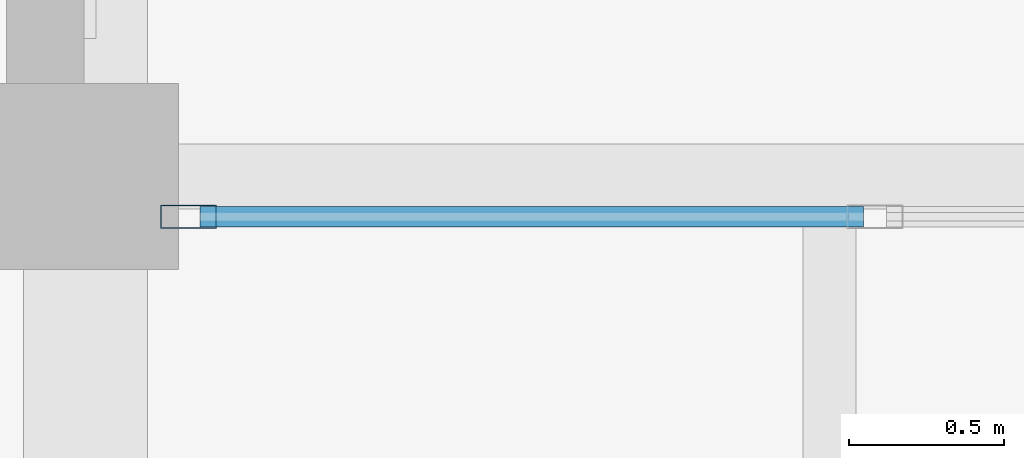
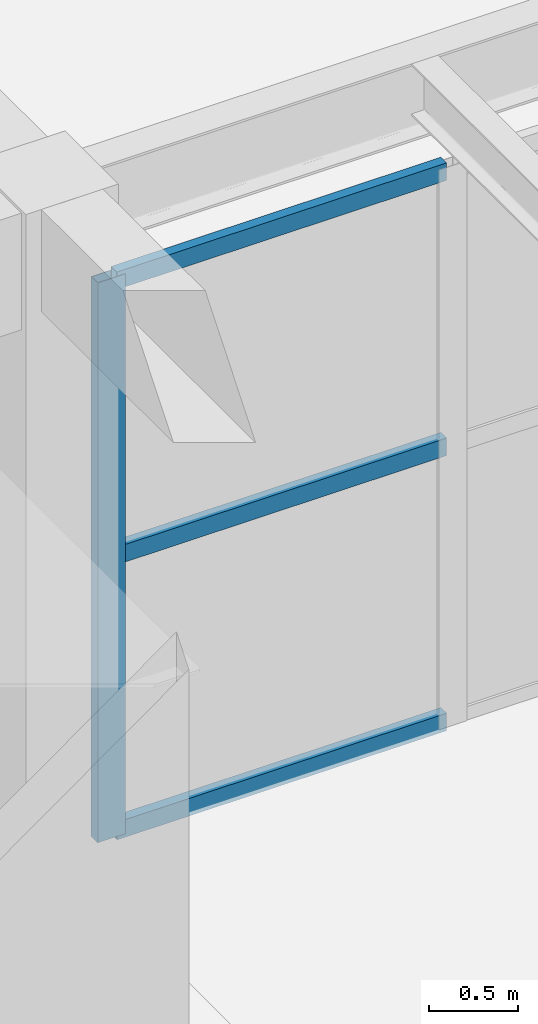
# One storey, part 24 of 155: 4 members, 1 element without a shape of its own.
"""IFC4 building model written with IfcOpenShell, lengths in metres."""

from ifc_helpers import new_model, si_unit, direction, frame, origin, origin_2d, place, context, subcontext, project, spatial, hollow_rectangle, extrude, material, material_profile, profile_set, type_object, element, aggregate, save


model = new_model("IFC4")

# Units and contexts
model_context = context("Model", 3, precision=1e-05, world=origin(), true_north=direction((0.0, 1.0)))
body_context = subcontext(model_context, "Body", "Model", "MODEL_VIEW")
ifc_project = project(units=[si_unit("LENGTHUNIT", "METRE"), si_unit("AREAUNIT", "SQUARE_METRE"), si_unit("VOLUMEUNIT", "CUBIC_METRE"), si_unit("PLANEANGLEUNIT", "RADIAN"), si_unit("MASSUNIT", "GRAM", prefix="KILO")], contexts=[model_context])

# Site, building, storey
site_placement = place(None, origin())
site = spatial("IfcSite", under=ifc_project, at=site_placement, CompositionType="ELEMENT")
building_placement = place(site_placement, origin())
building = spatial("IfcBuilding", under=site, at=building_placement, Name="Bramvelor Terrace Health Centre", CompositionType="ELEMENT")
storey_placement = place(building_placement, origin())
storey = spatial("IfcBuildingStorey", under=building, at=storey_placement, Name="L01", CompositionType="ELEMENT", Elevation=0.0)

# Curtain wall, members
ifc_material_1 = material(Name="Anodized aluminium and double low-E glass", Category="aluminium")
curtain_wall_type = type_object("IfcCurtainWallType", Name="CW-SYS-04", PredefinedType="NOTDEFINED", material=ifc_material_1)
curtain_wall_placement = place(storey_placement, origin())
curtain_wall = element("IfcCurtainWall", 1, at=curtain_wall_placement, inside=storey, type_object=curtain_wall_type, Name="L01 Unitized Curtain Wall 11", PredefinedType="NOTDEFINED")
ifc_material_2 = material(Name="Anodized aluminium 6063-T6", Category="aluminium")
ifc_material_profile_1 = material_profile(ifc_material_2, hollow_rectangle(XDim=0.074951171875, YDim=0.179931640625, WallThickness=0.00341796875, at=origin_2d()), Name="ALU-MUL 75x180x3.5")
ifc_profile_set_1 = profile_set([ifc_material_profile_1], Name="Anodized aluminium 6063-T6")
member_type_1 = type_object("IfcMemberType", Name="CW-MUL-65x180", PredefinedType="MULLION", material=ifc_profile_set_1)
member_1_placement = place(storey_placement, frame((29.132568359375, 57.469970703125, 0.0), z_axis=(0.0, 0.0, 1.0), x_axis=(0.0, 1.0, 0.0)))
member_1 = element("IfcMember", 2, at=member_1_placement, type_object=member_type_1, Name="CW-04 mullion 1", PredefinedType="MULLION", context=body_context, shape_type="SweptSolid", body=[
    extrude(hollow_rectangle(XDim=0.074951171875, YDim=0.179931640625, WallThickness=0.00341796875, at=origin_2d()), origin(), (0.0, 0.0, 1.0), 3.840087890625),
])
ifc_material_3 = material(Name="Anodized aluminium 6063-T6", Category="aluminium")
ifc_material_profile_2 = material_profile(ifc_material_3, hollow_rectangle(XDim=0.06494140625, YDim=0.1201171875, WallThickness=0.0029296875, at=origin_2d()), Name="ALU-TRN 65x120x3.0")
ifc_profile_set_2 = profile_set([ifc_material_profile_2], Name="Anodized aluminium 6063-T6")
member_type_2 = type_object("IfcMemberType", Name="CW-TRN-65x150", PredefinedType="USERDEFINED", material=ifc_profile_set_2)
member_2_placement = place(storey_placement, frame((29.169921875, 57.469970703125, 0.032470703125), z_axis=(1.0, 0.0, 0.0), x_axis=(0.0, 1.0, 0.0)))
member_2 = element("IfcMember", 3, at=member_2_placement, type_object=member_type_2, Name="CW-04 transom 1.1", ObjectType="TRANSOM", PredefinedType="USERDEFINED", context=body_context, shape_type="SweptSolid", body=[
    extrude(hollow_rectangle(XDim=0.06494140625, YDim=0.1201171875, WallThickness=0.0029296875, at=origin_2d()), origin(), (0.0, 0.0, 1.0), 2.1396484375),
])
member_3_placement = place(storey_placement, frame((29.169921875, 57.469970703125, 1.919921875), z_axis=(1.0, 0.0, 0.0), x_axis=(0.0, 1.0, 0.0)))
member_3 = element("IfcMember", 4, at=member_3_placement, type_object=member_type_2, Name="CW-04 transom 1.2", ObjectType="TRANSOM", PredefinedType="USERDEFINED", context=body_context, shape_type="SweptSolid", body=[
    extrude(hollow_rectangle(XDim=0.06494140625, YDim=0.1201171875, WallThickness=0.0029296875, at=origin_2d()), origin(), (0.0, 0.0, 1.0), 2.1396484375),
])
member_4_placement = place(storey_placement, frame((29.169921875, 57.469970703125, 3.8076171875), z_axis=(1.0, 0.0, 0.0), x_axis=(0.0, 1.0, 0.0)))
member_4 = element("IfcMember", 5, at=member_4_placement, type_object=member_type_2, Name="CW-04 transom 1.3", ObjectType="TRANSOM", PredefinedType="USERDEFINED", context=body_context, shape_type="SweptSolid", body=[
    extrude(hollow_rectangle(XDim=0.06494140625, YDim=0.1201171875, WallThickness=0.0029296875, at=origin_2d()), origin(), (0.0, 0.0, 1.0), 2.1396484375),
])
aggregate(curtain_wall, [member_1, member_2, member_3, member_4])

save(model, "model.ifc")
